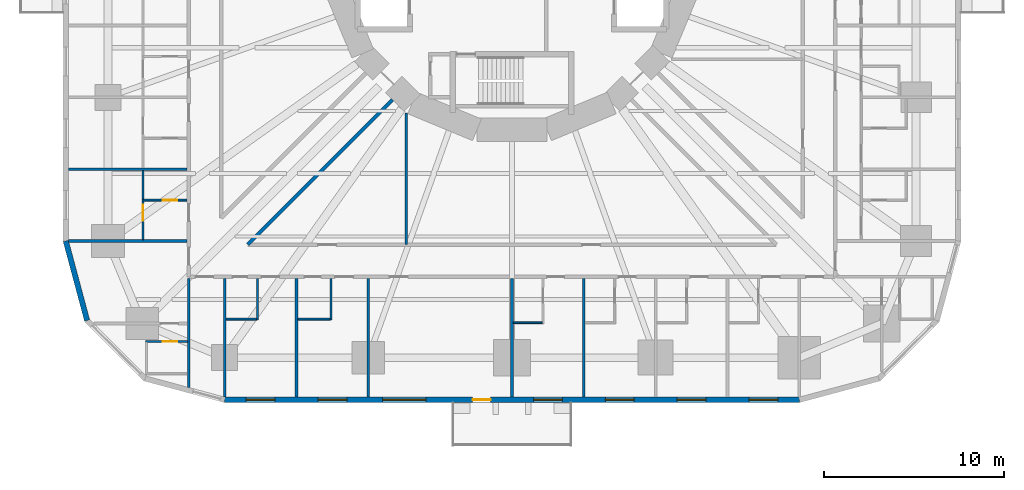
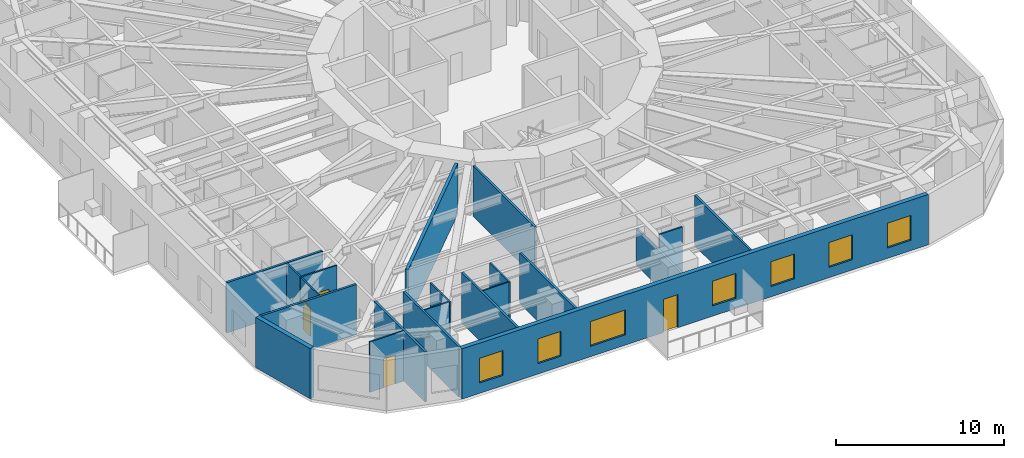
# One storey, part 4 of 14: 21 walls, 7 windows, 4 doors, 11 openings.
"""IFC4 building model written with IfcOpenShell, lengths in metres."""

from ifc_helpers import new_model, si_unit, direction, frame, frame_2d, origin, place, context, subcontext, project, spatial, rectangle, extrude, material, layer, layer_set, type_object, element, fill, save


model = new_model("IFC4")

# Units and contexts
model_context = context("Model", 3, precision=1e-05, world=origin(), true_north=direction((0.0, 1.0)))
body_context = subcontext(model_context, "Body", "Model", "MODEL_VIEW")
ifc_project = project(units=[si_unit("LENGTHUNIT", "METRE"), si_unit("AREAUNIT", "SQUARE_METRE"), si_unit("VOLUMEUNIT", "CUBIC_METRE"), si_unit("PLANEANGLEUNIT", "RADIAN"), si_unit("MASSUNIT", "GRAM", prefix="KILO")], contexts=[model_context])

# Site, building, storey
site_placement = place(None, origin())
site = spatial("IfcSite", under=ifc_project, at=site_placement, CompositionType="ELEMENT")
building_placement = place(site_placement, origin())
building = spatial("IfcBuilding", under=site, at=building_placement, Name="Nakasero Lantern House", CompositionType="ELEMENT")
storey_placement = place(building_placement, frame((0.0, 0.0, 50.64990234375)))
storey = spatial("IfcBuildingStorey", under=building, at=storey_placement, Name="L12", CompositionType="ELEMENT", Elevation=50.64990234375)

# Wall
ifc_material_1 = material(Name="Blockwork", Category="masonry")
ifc_layer_1 = layer(ifc_material_1, 0.199951171875)
ifc_layer_set_1 = layer_set([ifc_layer_1], Name="Corridor wall 200")
wall_type_1 = type_object("IfcWallType", Name="Corridor wall 200", PredefinedType="PARTITIONING", material=ifc_layer_set_1)
wall_1_placement = place(storey_placement, frame((-6.65234375, -8.13720703125, 0.0), z_axis=(0.0, 0.0, 1.0), x_axis=(-0.707106781187, -0.707106781187, 0.0)))
element("IfcWall", 1, at=wall_1_placement, inside=storey, type_object=wall_type_1, Name="Corridor wall L12 PS10a", PredefinedType="PARTITIONING", context=body_context, shape_type="SweptSolid", body=[
    extrude(rectangle(XDim=11.40234375, YDim=0.199951171875, at=frame_2d((5.701171875, 0.0))), origin(), (0.0, 0.0, 1.0), 3.650146484375),
])

# Wall, opening, door
ifc_material_2 = material(Name="Blockwork", Category="masonry")
ifc_layer_2 = layer(ifc_material_2, 0.10009765625)
ifc_layer_set_2 = layer_set([ifc_layer_2], Name="En-suite wall 100")
wall_type_2 = type_object("IfcWallType", Name="En-suite wall 100", PredefinedType="PARTITIONING", material=ifc_layer_set_2)
wall_2_placement = place(storey_placement, frame((-18.10009765625, -13.72509765625, 0.0), z_axis=(0.0, 0.0, 1.0), x_axis=(-1.0, 0.0, 0.0)))
wall_2 = element("IfcWall", 2, at=wall_2_placement, inside=storey, type_object=wall_type_2, Name="En-suite wall L12 ES2-08", PredefinedType="PARTITIONING", context=body_context, shape_type="SweptSolid", body=[
    extrude(rectangle(XDim=2.5, YDim=0.10009765625, at=frame_2d((1.25, 0.0))), origin(), (0.0, 0.0, 1.0), 3.650146484375),
])
opening_1_placement = place(wall_2_placement, frame((0.550048828125, 0.0, 0.0)))
opening_1 = element("IfcOpeningElement", 3, at=opening_1_placement, cuts=wall_2, Name="Opening D02", PredefinedType="OPENING", context=body_context, shape_type="SweptSolid", body=[
    extrude(rectangle(XDim=0.800048828125, YDim=2.10009765625, at=frame_2d((0.39990234375, 1.050048828125))), frame((0.0, 0.070068359375, 0.0), z_axis=(0.0, -1.0, 0.0), x_axis=(1.0, 0.0, 0.0)), (0.0, 0.0, 1.0), 0.14013671875),
])
ifc_material_3 = material(Name="Timber C24", Category="wood")
door_type_1 = type_object("IfcDoorType", Name="En-suite door 800", OperationType="SINGLE_SWING_RIGHT", PredefinedType="DOOR", material=ifc_material_3)
door_1_placement = place(opening_1_placement, origin())
door_1 = element("IfcDoor", 4, at=door_1_placement, inside=storey, type_object=door_type_1, Name="Door L12 DE2-08", OperationType="SINGLE_SWING_LEFT", OverallHeight=2.10009765625, OverallWidth=0.800048828125, PredefinedType="DOOR", context=body_context, shape_type="SweptSolid", body=[
    extrude(rectangle(XDim=0.800048828125, YDim=2.10009765625, at=frame_2d((0.39990234375, 1.050048828125))), frame((0.0, 0.02490234375, 0.0), z_axis=(0.0, -1.0, 0.0), x_axis=(1.0, 0.0, 0.0)), (0.0, 0.0, 1.0), 0.050048828125),
])
fill(opening_1, door_1)

# Wall
wall_3_placement = place(storey_placement, frame((-20.550048828125, -12.074951171875, 0.0), z_axis=(0.0, 0.0, 1.0), x_axis=(0.0, -1.0, 0.0)))
element("IfcWall", 5, at=wall_3_placement, inside=storey, type_object=wall_type_2, Name="En-suite wall L12 EE2-08", PredefinedType="PARTITIONING", context=body_context, shape_type="SweptSolid", body=[
    extrude(rectangle(XDim=1.60009765625, YDim=0.10009765625, at=frame_2d((0.800048828125, 0.0))), origin(), (0.0, 0.0, 1.0), 3.650146484375),
])

# Wall, opening, door
wall_4_placement = place(storey_placement, frame((-18.06494140625, -21.59619140625, 0.0), z_axis=(0.0, 0.0, 1.0), x_axis=(-1.0, 0.0, 0.0)))
wall_4 = element("IfcWall", 6, at=wall_4_placement, inside=storey, type_object=wall_type_2, Name="En-suite wall L12 ES2-09", PredefinedType="PARTITIONING", context=body_context, shape_type="SweptSolid", body=[
    extrude(rectangle(XDim=2.3349609375, YDim=0.10009765625, at=frame_2d((1.16748046875, 0.0))), origin(), (0.0, 0.0, 1.0), 3.650146484375),
])
opening_2_placement = place(wall_4_placement, frame((0.5849609375, 0.0, 0.0)))
opening_2 = element("IfcOpeningElement", 7, at=opening_2_placement, cuts=wall_4, Name="Opening D02", PredefinedType="OPENING", context=body_context, shape_type="SweptSolid", body=[
    extrude(rectangle(XDim=0.800048828125, YDim=2.10009765625, at=frame_2d((0.39990234375, 1.050048828125))), frame((0.0, 0.070068359375, 0.0), z_axis=(0.0, -1.0, 0.0), x_axis=(1.0, 0.0, 0.0)), (0.0, 0.0, 1.0), 0.14013671875),
])
door_2_placement = place(opening_2_placement, origin())
door_2 = element("IfcDoor", 8, at=door_2_placement, inside=storey, type_object=door_type_1, Name="Door L12 DE2-09", OperationType="SINGLE_SWING_LEFT", OverallHeight=2.10009765625, OverallWidth=0.800048828125, PredefinedType="DOOR", context=body_context, shape_type="SweptSolid", body=[
    extrude(rectangle(XDim=0.800048828125, YDim=2.10009765625, at=frame_2d((0.39990234375, 1.050048828125))), frame((0.0, 0.02490234375, 0.0), z_axis=(0.0, -1.0, 0.0), x_axis=(1.0, 0.0, 0.0)), (0.0, 0.0, 1.0), 0.050048828125),
])
fill(opening_2, door_2)

# Walls
wall_5_placement = place(storey_placement, frame((-14.175048828125, -18.10009765625, 0.0), z_axis=(0.0, 0.0, 1.0), x_axis=(0.0, -1.0, 0.0)))
element("IfcWall", 9, at=wall_5_placement, inside=storey, type_object=wall_type_2, Name="En-suite wall L12 ES3-01", PredefinedType="PARTITIONING", context=body_context, shape_type="SweptSolid", body=[
    extrude(rectangle(XDim=2.2998046875, YDim=0.10009765625, at=frame_2d((1.14990234375, 0.0))), origin(), (0.0, 0.0, 1.0), 3.650146484375),
])
wall_6_placement = place(storey_placement, frame((-15.925048828125, -20.35009765625, 0.0), z_axis=(0.0, 0.0, 1.0), x_axis=(1.0, 0.0, 0.0)))
element("IfcWall", 10, at=wall_6_placement, inside=storey, type_object=wall_type_2, Name="En-suite wall L12 EE3-01", PredefinedType="PARTITIONING", context=body_context, shape_type="SweptSolid", body=[
    extrude(rectangle(XDim=1.699951171875, YDim=0.10009765625, at=frame_2d((0.85009765625, 0.0))), origin(), (0.0, 0.0, 1.0), 3.650146484375),
])
wall_7_placement = place(storey_placement, frame((-10.074951171875, -18.10009765625, 0.0), z_axis=(0.0, 0.0, 1.0), x_axis=(0.0, -1.0, 0.0)))
element("IfcWall", 11, at=wall_7_placement, inside=storey, type_object=wall_type_2, Name="En-suite wall L12 ES3-02", PredefinedType="PARTITIONING", context=body_context, shape_type="SweptSolid", body=[
    extrude(rectangle(XDim=2.2998046875, YDim=0.10009765625, at=frame_2d((1.14990234375, 0.0))), origin(), (0.0, 0.0, 1.0), 3.650146484375),
])
wall_8_placement = place(storey_placement, frame((-11.925048828125, -20.35009765625, 0.0), z_axis=(0.0, 0.0, 1.0), x_axis=(1.0, 0.0, 0.0)))
element("IfcWall", 12, at=wall_8_placement, inside=storey, type_object=wall_type_2, Name="En-suite wall L12 EE3-02", PredefinedType="PARTITIONING", context=body_context, shape_type="SweptSolid", body=[
    extrude(rectangle(XDim=1.800048828125, YDim=0.10009765625, at=frame_2d((0.89990234375, 0.0))), origin(), (0.0, 0.0, 1.0), 3.650146484375),
])
wall_9_placement = place(storey_placement, frame((0.074951171875, -20.550048828125, 0.0), z_axis=(0.0, 0.0, 1.0), x_axis=(1.0, 0.0, 0.0)))
element("IfcWall", 13, at=wall_9_placement, inside=storey, type_object=wall_type_2, Name="En-suite wall L12 EE3-05", PredefinedType="PARTITIONING", context=body_context, shape_type="SweptSolid", body=[
    extrude(rectangle(XDim=1.60009765625, YDim=0.10009765625, at=frame_2d((0.800048828125, 0.0))), origin(), (0.0, 0.0, 1.0), 3.650146484375),
])

# Wall, opening, door
wall_10_placement = place(storey_placement, frame((-20.550048828125, -13.77490234375, 0.0), z_axis=(0.0, 0.0, 1.0), x_axis=(0.0, -1.0, 0.0)))
wall_10 = element("IfcWall", 14, at=wall_10_placement, inside=storey, type_object=wall_type_2, Name="En-suite wall L12 EL2-08", PredefinedType="PARTITIONING", context=body_context, shape_type="SweptSolid", body=[
    extrude(rectangle(XDim=2.150146484375, YDim=0.10009765625, at=frame_2d((1.0751953125, 0.0))), origin(), (0.0, 0.0, 1.0), 3.650146484375),
])
opening_3_placement = place(wall_10_placement, frame((0.199951171875, 0.0, 0.0)))
opening_3 = element("IfcOpeningElement", 15, at=opening_3_placement, cuts=wall_10, Name="Opening D17", PredefinedType="OPENING", context=body_context, shape_type="SweptSolid", body=[
    extrude(rectangle(XDim=0.89990234375, YDim=2.10009765625, at=frame_2d((0.449951171875, 1.050048828125))), frame((0.0, 0.070068359375, 0.0), z_axis=(0.0, -1.0, 0.0), x_axis=(1.0, 0.0, 0.0)), (0.0, 0.0, 1.0), 0.14013671875),
])
ifc_material_4 = material(Name="Timber C24", Category="wood")
door_type_2 = type_object("IfcDoorType", Name="Bedroom door FD30S 900", OperationType="SINGLE_SWING_LEFT", PredefinedType="DOOR", material=ifc_material_4)
door_3_placement = place(opening_3_placement, origin())
door_3 = element("IfcDoor", 16, at=door_3_placement, inside=storey, type_object=door_type_2, Name="Door L12 DL2-08", OperationType="SINGLE_SWING_LEFT", OverallHeight=2.10009765625, OverallWidth=0.89990234375, PredefinedType="DOOR", context=body_context, shape_type="SweptSolid", body=[
    extrude(rectangle(XDim=0.89990234375, YDim=2.10009765625, at=frame_2d((0.449951171875, 1.050048828125))), frame((0.0, 0.02490234375, 0.0), z_axis=(0.0, -1.0, 0.0), x_axis=(1.0, 0.0, 0.0)), (0.0, 0.0, 1.0), 0.050048828125),
])
fill(opening_3, door_3)

# Wall
ifc_material_5 = material(Name="Aluminium rainscreen on blockwork", Category="masonry")
ifc_layer_3 = layer(ifc_material_5, 0.300048828125)
ifc_layer_set_3 = layer_set([ifc_layer_3], Name="Facade wall 300")
wall_type_3 = type_object("IfcWallType", Name="Facade wall 300", PredefinedType="SOLIDWALL", material=ifc_layer_set_3)
wall_11_placement = place(storey_placement, frame((-24.85009765625, -16.0, 0.0), z_axis=(0.0, 0.0, 1.0), x_axis=(0.258839972501, -0.965920218567, 0.0)))
element("IfcWall", 17, at=wall_11_placement, inside=storey, type_object=wall_type_3, Name="Facade wall L12 FW2C1", PredefinedType="SOLIDWALL", context=body_context, shape_type="SweptSolid", body=[
    extrude(rectangle(XDim=4.5810546875, YDim=0.300048828125, at=frame_2d((2.29052734375, 0.0))), origin(), (0.0, 0.0, 1.0), 3.650146484375),
])

# Wall, openings, door, windows
wall_12_placement = place(storey_placement, frame((-16.0, -24.85009765625, 0.0), z_axis=(0.0, 0.0, 1.0), x_axis=(1.0, 0.0, 0.0)))
wall_12 = element("IfcWall", 18, at=wall_12_placement, inside=storey, type_object=wall_type_3, Name="Facade wall L12 FW3S", PredefinedType="SOLIDWALL", context=body_context, shape_type="SweptSolid", body=[
    extrude(rectangle(XDim=32.0, YDim=0.300048828125, at=frame_2d((16.0, 0.0))), origin(), (0.0, 0.0, 1.0), 3.650146484375),
])
opening_4_placement = place(wall_12_placement, frame((1.199951171875, 0.0, 0.75)))
opening_4 = element("IfcOpeningElement", 19, at=opening_4_placement, cuts=wall_12, Name="Opening W01", PredefinedType="OPENING", context=body_context, shape_type="SweptSolid", body=[
    extrude(rectangle(XDim=1.60009765625, YDim=1.800048828125, at=frame_2d((0.800048828125, 0.89990234375))), frame((0.0, 0.169921875, 0.0), z_axis=(0.0, -1.0, 0.0), x_axis=(1.0, 0.0, 0.0)), (0.0, 0.0, 1.0), 0.340087890625),
])
opening_5_placement = place(wall_12_placement, frame((5.199951171875, 0.0, 0.75)))
opening_5 = element("IfcOpeningElement", 20, at=opening_5_placement, cuts=wall_12, Name="Opening W01", PredefinedType="OPENING", context=body_context, shape_type="SweptSolid", body=[
    extrude(rectangle(XDim=1.60009765625, YDim=1.800048828125, at=frame_2d((0.800048828125, 0.89990234375))), frame((0.0, 0.169921875, 0.0), z_axis=(0.0, -1.0, 0.0), x_axis=(1.0, 0.0, 0.0)), (0.0, 0.0, 1.0), 0.340087890625),
])
opening_6_placement = place(wall_12_placement, frame((17.199951171875, 0.0, 0.75)))
opening_6 = element("IfcOpeningElement", 21, at=opening_6_placement, cuts=wall_12, Name="Opening W01", PredefinedType="OPENING", context=body_context, shape_type="SweptSolid", body=[
    extrude(rectangle(XDim=1.60009765625, YDim=1.800048828125, at=frame_2d((0.800048828125, 0.89990234375))), frame((0.0, 0.169921875, 0.0), z_axis=(0.0, -1.0, 0.0), x_axis=(1.0, 0.0, 0.0)), (0.0, 0.0, 1.0), 0.340087890625),
])
opening_7_placement = place(wall_12_placement, frame((21.199951171875, 0.0, 0.75)))
opening_7 = element("IfcOpeningElement", 22, at=opening_7_placement, cuts=wall_12, Name="Opening W01", PredefinedType="OPENING", context=body_context, shape_type="SweptSolid", body=[
    extrude(rectangle(XDim=1.60009765625, YDim=1.800048828125, at=frame_2d((0.800048828125, 0.89990234375))), frame((0.0, 0.169921875, 0.0), z_axis=(0.0, -1.0, 0.0), x_axis=(1.0, 0.0, 0.0)), (0.0, 0.0, 1.0), 0.340087890625),
])
opening_8_placement = place(wall_12_placement, frame((25.199951171875, 0.0, 0.75)))
opening_8 = element("IfcOpeningElement", 23, at=opening_8_placement, cuts=wall_12, Name="Opening W01", PredefinedType="OPENING", context=body_context, shape_type="SweptSolid", body=[
    extrude(rectangle(XDim=1.60009765625, YDim=1.800048828125, at=frame_2d((0.800048828125, 0.89990234375))), frame((0.0, 0.169921875, 0.0), z_axis=(0.0, -1.0, 0.0), x_axis=(1.0, 0.0, 0.0)), (0.0, 0.0, 1.0), 0.340087890625),
])
opening_9_placement = place(wall_12_placement, frame((29.199951171875, 0.0, 0.75)))
opening_9 = element("IfcOpeningElement", 24, at=opening_9_placement, cuts=wall_12, Name="Opening W01", PredefinedType="OPENING", context=body_context, shape_type="SweptSolid", body=[
    extrude(rectangle(XDim=1.60009765625, YDim=1.800048828125, at=frame_2d((0.800048828125, 0.89990234375))), frame((0.0, 0.169921875, 0.0), z_axis=(0.0, -1.0, 0.0), x_axis=(1.0, 0.0, 0.0)), (0.0, 0.0, 1.0), 0.340087890625),
])
opening_10_placement = place(wall_12_placement, frame((8.800048828125, 0.0, 0.75)))
opening_10 = element("IfcOpeningElement", 25, at=opening_10_placement, cuts=wall_12, Name="Opening W03", PredefinedType="OPENING", context=body_context, shape_type="SweptSolid", body=[
    extrude(rectangle(XDim=2.39990234375, YDim=1.800048828125, at=frame_2d((1.199951171875, 0.89990234375))), frame((0.0, 0.169921875, 0.0), z_axis=(0.0, -1.0, 0.0), x_axis=(1.0, 0.0, 0.0)), (0.0, 0.0, 1.0), 0.340087890625),
])
opening_11_placement = place(wall_12_placement, frame((13.8125, 0.0, 0.0)))
opening_11 = element("IfcOpeningElement", 26, at=opening_11_placement, cuts=wall_12, Name="Opening D04", PredefinedType="OPENING", context=body_context, shape_type="SweptSolid", body=[
    extrude(rectangle(XDim=1.0, YDim=2.39990234375, at=frame_2d((0.5, 1.199951171875))), frame((0.0, 0.169921875, 0.0), z_axis=(0.0, -1.0, 0.0), x_axis=(1.0, 0.0, 0.0)), (0.0, 0.0, 1.0), 0.340087890625),
])
ifc_material_6 = material(Name="Aluminium 6063-T6 and glass", Category="aluminium")
door_type_3 = type_object("IfcDoorType", Name="Balcony door 1000x2400", OperationType="SINGLE_SWING_RIGHT", PredefinedType="DOOR", material=ifc_material_6)
door_4_placement = place(opening_11_placement, origin())
door_4 = element("IfcDoor", 27, at=door_4_placement, inside=storey, type_object=door_type_3, Name="Balcony door L12 DB3", OperationType="SINGLE_SWING_RIGHT", OverallHeight=2.39990234375, OverallWidth=1.0, PredefinedType="DOOR", context=body_context, shape_type="SweptSolid", body=[
    extrude(rectangle(XDim=1.0, YDim=2.39990234375, at=frame_2d((0.5, 1.199951171875))), frame((0.0, 0.02490234375, 0.0), z_axis=(0.0, -1.0, 0.0), x_axis=(1.0, 0.0, 0.0)), (0.0, 0.0, 1.0), 0.050048828125),
])
fill(opening_11, door_4)
ifc_material_7 = material(Name="Aluminium 6063-T6 and glass", Category="aluminium")
window_type_1 = type_object("IfcWindowType", Name="Bedroom window 1600x1800", PartitioningType="SINGLE_PANEL", PredefinedType="WINDOW", material=ifc_material_7)
window_1_placement = place(opening_4_placement, origin())
window_1 = element("IfcWindow", 28, at=window_1_placement, inside=storey, type_object=window_type_1, Name="Window L12 WN3-01", OverallHeight=1.800048828125, OverallWidth=1.60009765625, PartitioningType="SINGLE_PANEL", PredefinedType="WINDOW", context=body_context, shape_type="SweptSolid", body=[
    extrude(rectangle(XDim=1.60009765625, YDim=1.800048828125, at=frame_2d((0.800048828125, 0.89990234375))), frame((0.0, 0.030029296875, 0.0), z_axis=(0.0, -1.0, 0.0), x_axis=(1.0, 0.0, 0.0)), (0.0, 0.0, 1.0), 0.06005859375),
])
fill(opening_4, window_1)
window_2_placement = place(opening_5_placement, origin())
window_2 = element("IfcWindow", 29, at=window_2_placement, inside=storey, type_object=window_type_1, Name="Window L12 WN3-02", OverallHeight=1.800048828125, OverallWidth=1.60009765625, PartitioningType="SINGLE_PANEL", PredefinedType="WINDOW", context=body_context, shape_type="SweptSolid", body=[
    extrude(rectangle(XDim=1.60009765625, YDim=1.800048828125, at=frame_2d((0.800048828125, 0.89990234375))), frame((0.0, 0.030029296875, 0.0), z_axis=(0.0, -1.0, 0.0), x_axis=(1.0, 0.0, 0.0)), (0.0, 0.0, 1.0), 0.06005859375),
])
fill(opening_5, window_2)
window_3_placement = place(opening_6_placement, origin())
window_3 = element("IfcWindow", 30, at=window_3_placement, inside=storey, type_object=window_type_1, Name="Window L12 WN3-05", OverallHeight=1.800048828125, OverallWidth=1.60009765625, PartitioningType="SINGLE_PANEL", PredefinedType="WINDOW", context=body_context, shape_type="SweptSolid", body=[
    extrude(rectangle(XDim=1.60009765625, YDim=1.800048828125, at=frame_2d((0.800048828125, 0.89990234375))), frame((0.0, 0.030029296875, 0.0), z_axis=(0.0, -1.0, 0.0), x_axis=(1.0, 0.0, 0.0)), (0.0, 0.0, 1.0), 0.06005859375),
])
fill(opening_6, window_3)
window_4_placement = place(opening_7_placement, origin())
window_4 = element("IfcWindow", 31, at=window_4_placement, inside=storey, type_object=window_type_1, Name="Window L12 WN3-06", OverallHeight=1.800048828125, OverallWidth=1.60009765625, PartitioningType="SINGLE_PANEL", PredefinedType="WINDOW", context=body_context, shape_type="SweptSolid", body=[
    extrude(rectangle(XDim=1.60009765625, YDim=1.800048828125, at=frame_2d((0.800048828125, 0.89990234375))), frame((0.0, 0.030029296875, 0.0), z_axis=(0.0, -1.0, 0.0), x_axis=(1.0, 0.0, 0.0)), (0.0, 0.0, 1.0), 0.06005859375),
])
fill(opening_7, window_4)
window_5_placement = place(opening_8_placement, origin())
window_5 = element("IfcWindow", 32, at=window_5_placement, inside=storey, type_object=window_type_1, Name="Window L12 WN3-07", OverallHeight=1.800048828125, OverallWidth=1.60009765625, PartitioningType="SINGLE_PANEL", PredefinedType="WINDOW", context=body_context, shape_type="SweptSolid", body=[
    extrude(rectangle(XDim=1.60009765625, YDim=1.800048828125, at=frame_2d((0.800048828125, 0.89990234375))), frame((0.0, 0.030029296875, 0.0), z_axis=(0.0, -1.0, 0.0), x_axis=(1.0, 0.0, 0.0)), (0.0, 0.0, 1.0), 0.06005859375),
])
fill(opening_8, window_5)
window_6_placement = place(opening_9_placement, origin())
window_6 = element("IfcWindow", 33, at=window_6_placement, inside=storey, type_object=window_type_1, Name="Window L12 WN3-08", OverallHeight=1.800048828125, OverallWidth=1.60009765625, PartitioningType="SINGLE_PANEL", PredefinedType="WINDOW", context=body_context, shape_type="SweptSolid", body=[
    extrude(rectangle(XDim=1.60009765625, YDim=1.800048828125, at=frame_2d((0.800048828125, 0.89990234375))), frame((0.0, 0.030029296875, 0.0), z_axis=(0.0, -1.0, 0.0), x_axis=(1.0, 0.0, 0.0)), (0.0, 0.0, 1.0), 0.06005859375),
])
fill(opening_9, window_6)
ifc_material_8 = material(Name="Aluminium 6063-T6 and glass", Category="aluminium")
window_type_2 = type_object("IfcWindowType", Name="Lounge window 2400x1800", PartitioningType="SINGLE_PANEL", PredefinedType="WINDOW", material=ifc_material_8)
window_7_placement = place(opening_10_placement, origin())
window_7 = element("IfcWindow", 34, at=window_7_placement, inside=storey, type_object=window_type_2, Name="Window L12 WK3", OverallHeight=1.800048828125, OverallWidth=2.39990234375, PartitioningType="SINGLE_PANEL", PredefinedType="WINDOW", context=body_context, shape_type="SweptSolid", body=[
    extrude(rectangle(XDim=2.39990234375, YDim=1.800048828125, at=frame_2d((1.199951171875, 0.89990234375))), frame((0.0, 0.030029296875, 0.0), z_axis=(0.0, -1.0, 0.0), x_axis=(1.0, 0.0, 0.0)), (0.0, 0.0, 1.0), 0.06005859375),
])
fill(opening_10, window_7)

# Walls
ifc_material_9 = material(Name="Blockwork", Category="masonry")
ifc_layer_4 = layer(ifc_material_9, 0.14990234375)
ifc_layer_set_4 = layer_set([ifc_layer_4], Name="Party wall 150")
wall_type_4 = type_object("IfcWallType", Name="Party wall 150", PredefinedType="PARTITIONING", material=ifc_layer_set_4)
wall_13_placement = place(storey_placement, frame((-18.10009765625, -12.0, 0.0), z_axis=(0.0, 0.0, 1.0), x_axis=(-1.0, 0.0, 0.0)))
element("IfcWall", 35, at=wall_13_placement, inside=storey, type_object=wall_type_4, Name="Party wall L12 PW2-08", PredefinedType="PARTITIONING", context=body_context, shape_type="SweptSolid", body=[
    extrude(rectangle(XDim=6.599853515625, YDim=0.14990234375, at=frame_2d((3.2998046875, 0.0))), origin(), (0.0, 0.0, 1.0), 3.650146484375),
])
wall_14_placement = place(storey_placement, frame((-18.10009765625, -16.0, 0.0), z_axis=(0.0, 0.0, 1.0), x_axis=(-1.0, 0.0, 0.0)))
element("IfcWall", 36, at=wall_14_placement, inside=storey, type_object=wall_type_4, Name="Party wall L12 PW2-09", PredefinedType="PARTITIONING", context=body_context, shape_type="SweptSolid", body=[
    extrude(rectangle(XDim=6.58935546875, YDim=0.14990234375, at=frame_2d((3.294677734375, 0.0))), origin(), (0.0, 0.0, 1.0), 3.650146484375),
])
wall_15_placement = place(storey_placement, frame((-18.0, -18.10009765625, 0.0), z_axis=(0.0, 0.0, 1.0), x_axis=(0.0, -1.0, 0.0)))
element("IfcWall", 37, at=wall_15_placement, inside=storey, type_object=wall_type_4, Name="Party wall L12 PW3-00", PredefinedType="PARTITIONING", context=body_context, shape_type="SweptSolid", body=[
    extrude(rectangle(XDim=6.053466796875, YDim=0.14990234375, at=frame_2d((3.02685546875, 0.0))), origin(), (0.0, 0.0, 1.0), 3.650146484375),
])
wall_16_placement = place(storey_placement, frame((-16.0, -18.10009765625, 0.0), z_axis=(0.0, 0.0, 1.0), x_axis=(0.0, -1.0, 0.0)))
element("IfcWall", 38, at=wall_16_placement, inside=storey, type_object=wall_type_4, Name="Party wall L12 PW3-01", PredefinedType="PARTITIONING", context=body_context, shape_type="SweptSolid", body=[
    extrude(rectangle(XDim=6.58935546875, YDim=0.14990234375, at=frame_2d((3.294677734375, 0.0))), origin(), (0.0, 0.0, 1.0), 3.650146484375),
])
for number, where, z_axis, x_axis, name in (
    (39, (-12.0, -18.10009765625, 0.0), (0.0, 0.0, 1.0), (0.0, -1.0, 0.0), "Party wall L12 PW3-02"),
    (40, (-8.0, -18.10009765625, 0.0), (0.0, 0.0, 1.0), (0.0, -1.0, 0.0), "Party wall L12 PW3-03"),
):
    element("IfcWall", number, at=place(storey_placement, frame(where, z_axis=z_axis, x_axis=x_axis)), inside=storey, type_object=wall_type_4, Name=name, PredefinedType="PARTITIONING", context=body_context, shape_type="SweptSolid", body=[
        extrude(rectangle(XDim=6.599853515625, YDim=0.14990234375, at=frame_2d((3.2998046875, 0.0))), origin(), (0.0, 0.0, 1.0), 3.650146484375),
    ])
wall_17_placement = place(storey_placement, frame((0.0, -18.10009765625, 0.0), z_axis=(0.0, 0.0, 1.0), x_axis=(0.0, -1.0, 0.0)))
element("IfcWall", 41, at=wall_17_placement, inside=storey, type_object=wall_type_4, Name="Party wall L12 PW3-05", PredefinedType="PARTITIONING", context=body_context, shape_type="SweptSolid", body=[
    extrude(rectangle(XDim=6.599853515625, YDim=0.14990234375, at=frame_2d((3.2998046875, 0.0))), origin(), (0.0, 0.0, 1.0), 2.6240234375),
])
wall_18_placement = place(storey_placement, frame((4.0, -18.10009765625, 0.0), z_axis=(0.0, 0.0, 1.0), x_axis=(0.0, -1.0, 0.0)))
element("IfcWall", 42, at=wall_18_placement, inside=storey, type_object=wall_type_4, Name="Party wall L12 PW3-06", PredefinedType="PARTITIONING", context=body_context, shape_type="SweptSolid", body=[
    extrude(rectangle(XDim=6.599853515625, YDim=0.14990234375, at=frame_2d((3.2998046875, 0.0))), origin(), (0.0, 0.0, 1.0), 3.650146484375),
])
wall_19_placement = place(storey_placement, frame((-5.885986328125, -8.88134765625, 0.0), z_axis=(0.0, 0.0, 1.0), x_axis=(0.0, -1.0, 0.0)))
element("IfcWall", 43, at=wall_19_placement, inside=storey, type_object=wall_type_4, Name="Party wall L12 IS4", PredefinedType="PARTITIONING", context=body_context, shape_type="SweptSolid", body=[
    extrude(rectangle(XDim=7.318603515625, YDim=0.14990234375, at=frame_2d((3.6591796875, 0.0))), origin(), (0.0, 0.0, 1.0), 3.650146484375),
])

save(model, "model.ifc")
